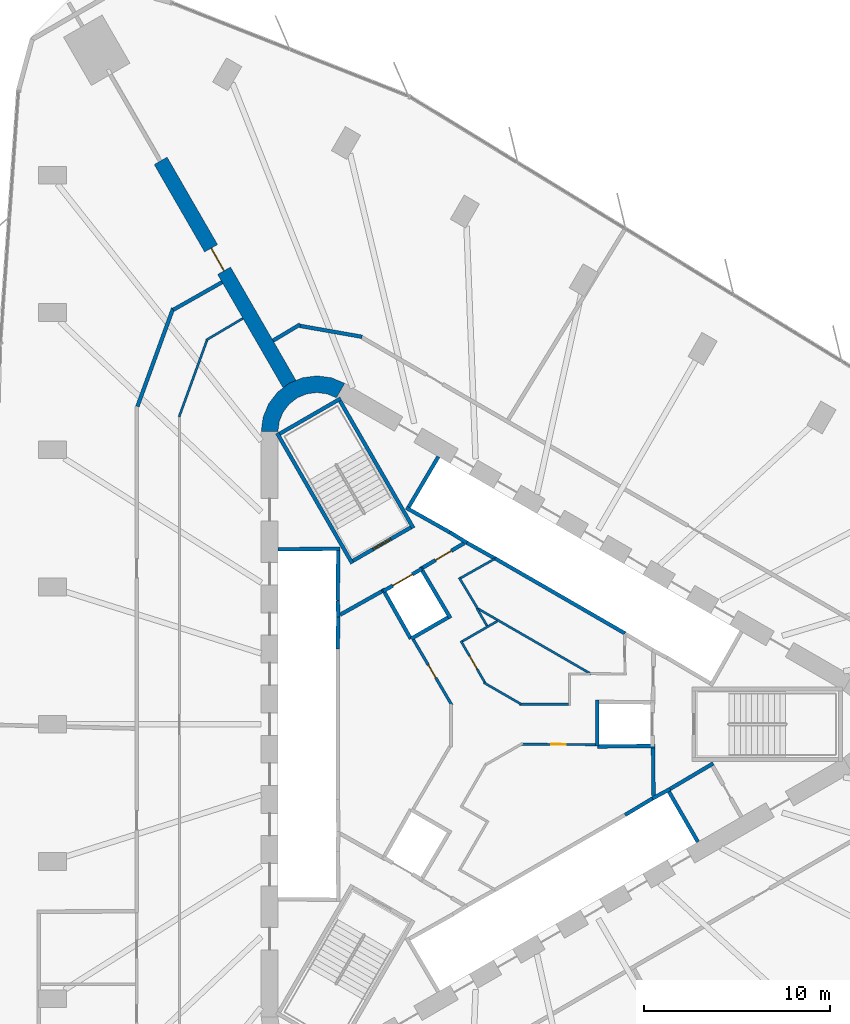
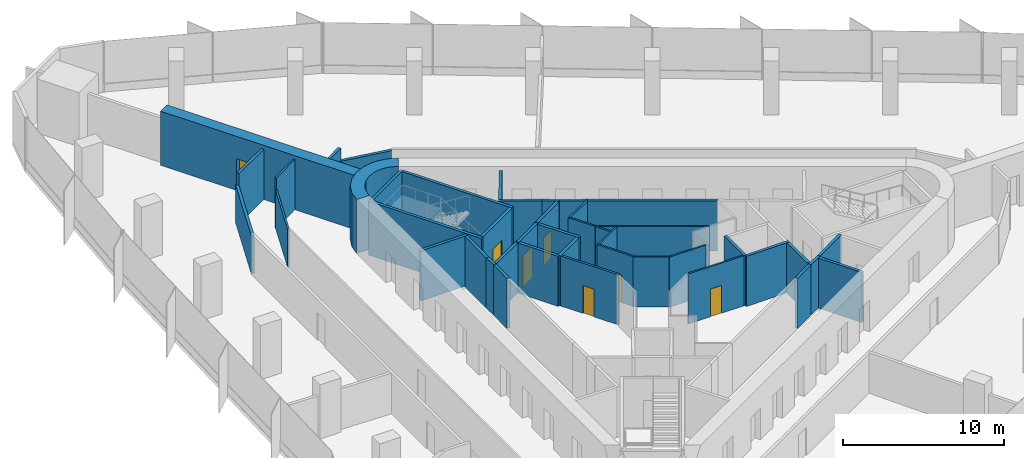
# One storey, part 10 of 13: 44 walls, 7 doors, 7 openings.
"""IFC4 building model written with IfcOpenShell, lengths in metres."""

from ifc_helpers import new_model, si_unit, direction, frame, frame_2d, origin, place, context, subcontext, project, spatial, polyline, rectangle, outline, extrude, material, layer, layer_set, type_object, element, fill, save


model = new_model("IFC4")

# Units and contexts
model_context = context("Model", 3, precision=1e-05, world=origin(), true_north=direction((0.0, 1.0)))
body_context = subcontext(model_context, "Body", "Model", "MODEL_VIEW")
ifc_project = project(units=[si_unit("LENGTHUNIT", "METRE"), si_unit("AREAUNIT", "SQUARE_METRE"), si_unit("VOLUMEUNIT", "CUBIC_METRE"), si_unit("PLANEANGLEUNIT", "RADIAN"), si_unit("MASSUNIT", "GRAM", prefix="KILO")], contexts=[model_context])

# Site, building, storey
site_placement = place(None, origin())
site = spatial("IfcSite", under=ifc_project, at=site_placement, CompositionType="ELEMENT")
building_placement = place(site_placement, origin())
building = spatial("IfcBuilding", under=site, at=building_placement, Name="Tanit Gate Tower", CompositionType="ELEMENT")
storey_placement = place(building_placement, frame((0.0, 0.0, 57.800048828125)))
storey = spatial("IfcBuildingStorey", under=building, at=storey_placement, Name="L10", CompositionType="ELEMENT", Elevation=57.800048828125)

# Wall, opening, door
ifc_material_1 = material(Name="Concrete C60/75", Category="concrete")
ifc_layer_1 = layer(ifc_material_1, 0.800048828125)
ifc_layer_set_1 = layer_set([ifc_layer_1], Name="BUTTRESS FIN 800 C60/75")
wall_type_1 = type_object("IfcWallType", Name="BUTTRESS FIN 800 C60/75", PredefinedType="SHEAR", material=ifc_layer_set_1)
wall_1_placement = place(storey_placement, frame((-10.574951171875, 18.31640625, 0.0), z_axis=(0.0, 0.0, 1.0), x_axis=(-0.500001010139, 0.866024820579, 0.0)))
wall_1 = element("IfcWall", 1, at=wall_1_placement, inside=storey, type_object=wall_type_1, Name="BUTTRESS FIN", PredefinedType="SHEAR", context=body_context, shape_type="SweptSolid", body=[
    extrude(rectangle(XDim=13.8837890625, YDim=0.800048828125, at=frame_2d((6.94189453125, 0.0))), origin(), (0.0, 0.0, 1.0), 4.099853515625),
])
opening_1_placement = place(wall_1_placement, frame((7.050048828125, 0.0, 0.0)))
opening_1 = element("IfcOpeningElement", 2, at=opening_1_placement, cuts=wall_1, Name="Opening P14-S01-F-NW-1", PredefinedType="OPENING", context=body_context, shape_type="SweptSolid", body=[
    extrude(rectangle(XDim=1.39990234375, YDim=2.39990234375, at=frame_2d((0.699951171875, 1.199951171875))), frame((0.0, 0.41015625, 0.0), z_axis=(0.0, -1.0, 0.0), x_axis=(1.0, 0.0, 0.0)), (0.0, 0.0, 1.0), 0.820068359375),
])
ifc_material_2 = material(Name="Timber door leaf", Category="wood")
door_type_1 = type_object("IfcDoorType", Name="INT-DOOR-FIN-PAIR-1400", OperationType="NOTDEFINED", PredefinedType="NOTDEFINED", material=ifc_material_2)
door_1_placement = place(opening_1_placement, origin())
door_1 = element("IfcDoor", 3, at=door_1_placement, inside=storey, type_object=door_type_1, Name="Door P14-S01-F-NW-1", OperationType="DOUBLE_DOOR_SINGLE_SWING", OverallHeight=2.39990234375, OverallWidth=1.39990234375, PredefinedType="NOTDEFINED", context=body_context, shape_type="SweptSolid", body=[
    extrude(rectangle(XDim=1.39990234375, YDim=2.39990234375, at=frame_2d((0.699951171875, 1.199951171875))), frame((0.0, 0.02490234375, 0.0), z_axis=(0.0, -1.0, 0.0), x_axis=(1.0, 0.0, 0.0)), (0.0, 0.0, 1.0), 0.050048828125),
])
fill(opening_1, door_1)

# Walls
ifc_material_3 = material(Name="Concrete C60/75", Category="concrete")
ifc_layer_2 = layer(ifc_material_3, 0.89990234375)
ifc_layer_set_2 = layer_set([ifc_layer_2], Name="CORE WALL 900 C60/75")
wall_type_2 = type_object("IfcWallType", Name="CORE WALL 900 C60/75", PredefinedType="SHEAR", material=ifc_layer_set_2)
wall_2_placement = place(storey_placement, origin())
element("IfcWall", 4, at=wall_2_placement, inside=storey, type_object=wall_type_2, Name="CORE WALL CORNER", PredefinedType="SHEAR", context=body_context, shape_type="SweptSolid", body=[
    extrude(outline(polyline([(-7.60009765625, 18.359619140625), (-8.323486328125, 18.659423828125), (-9.10009765625, 18.76171875), (-9.87646484375, 18.659423828125), (-10.60009765625, 18.359619140625), (-11.22119140625, 17.883056640625), (-11.697998046875, 17.26171875), (-11.997802734375, 16.5380859375), (-12.10009765625, 15.76171875), (-11.199951171875, 15.76171875), (-11.12841796875, 16.30517578125), (-10.918701171875, 16.811767578125), (-10.5849609375, 17.24658203125), (-10.14990234375, 17.580322265625), (-9.6435546875, 17.7900390625), (-9.10009765625, 17.86181640625), (-8.556396484375, 17.7900390625), (-8.050048828125, 17.580322265625), (-7.60009765625, 18.359619140625)])), origin(), (0.0, 0.0, 1.0), 4.099853515625),
])
ifc_material_4 = material(Name="Fire-rated gypsum board partition")
ifc_layer_3 = layer(ifc_material_4, 0.199951171875)
ifc_layer_set_3 = layer_set([ifc_layer_3], Name="INT-WALL-COMPARTMENT")
wall_type_3 = type_object("IfcWallType", Name="INT-WALL-COMPARTMENT", PredefinedType="PARTITIONING", material=ifc_layer_set_3)
wall_3_placement = place(storey_placement, frame((12.244873046875, -2.10888671875, 0.0), z_axis=(0.0, 0.0, 1.0), x_axis=(-0.860414880418, -0.509594185166, 0.0)))
element("IfcWall", 5, at=wall_3_placement, inside=storey, type_object=wall_type_3, Name="Wall Compartment W057", PredefinedType="PARTITIONING", context=body_context, shape_type="SweptSolid", body=[
    extrude(rectangle(XDim=2.7001953125, YDim=0.199951171875, at=frame_2d((1.35009765625, 0.0))), origin(), (0.0, 0.0, 1.0), 3.800048828125),
])
for number, where, z_axis, x_axis, name in (
    (6, (9.02880859375, -3.8505859375, 0.0), (0.0, 0.0, 1.0), (-0.010784614026, 0.999941844359, 0.0), "Wall Compartment W059"),
    (7, (-5.600341796875, 7.16015625, 0.0), (0.0, 0.0, 1.0), (-0.871340486379, -0.490678873396, 0.0), "Wall Compartment W061"),
):
    element("IfcWall", number, at=place(storey_placement, frame(where, z_axis=z_axis, x_axis=x_axis)), inside=storey, type_object=wall_type_3, Name=name, PredefinedType="PARTITIONING", context=body_context, shape_type="SweptSolid", body=[
        extrude(rectangle(XDim=2.580810546875, YDim=0.199951171875, at=frame_2d((1.29052734375, 0.0))), origin(), (0.0, 0.0, 1.0), 3.800048828125),
    ])

# Wall, opening, door
wall_4_placement = place(storey_placement, frame((-1.179443359375, 9.74462890625, 0.0), z_axis=(0.0, 0.0, 1.0), x_axis=(-0.860598681535, -0.509283721849, 0.0)))
wall_4 = element("IfcWall", 8, at=wall_4_placement, inside=storey, type_object=wall_type_3, Name="Wall Compartment W062", PredefinedType="PARTITIONING", context=body_context, shape_type="SweptSolid", body=[
    extrude(rectangle(XDim=2.5810546875, YDim=0.199951171875, at=frame_2d((1.29052734375, 0.0))), origin(), (0.0, 0.0, 1.0), 3.800048828125),
])
opening_2_placement = place(wall_4_placement, frame((0.79052734375, 0.0, 0.0)))
opening_2 = element("IfcOpeningElement", 9, at=opening_2_placement, cuts=wall_4, Name="Opening F10-S01-05", PredefinedType="OPENING", context=body_context, shape_type="SweptSolid", body=[
    extrude(rectangle(XDim=1.0, YDim=2.10009765625, at=frame_2d((0.5, 1.050048828125))), frame((0.0, 0.10986328125, 0.0), z_axis=(0.0, -1.0, 0.0), x_axis=(1.0, 0.0, 0.0)), (0.0, 0.0, 1.0), 0.219970703125),
])
ifc_material_5 = material(Name="Fire-rated steel door leaf", Category="steel")
door_type_2 = type_object("IfcDoorType", Name="INT-DOOR-FIRE-1000", OperationType="NOTDEFINED", PredefinedType="USERDEFINED", material=ifc_material_5)
door_2_placement = place(opening_2_placement, origin())
door_2 = element("IfcDoor", 10, at=door_2_placement, inside=storey, type_object=door_type_2, Name="Door F10-S01-05", ObjectType="FIRE DOOR", OperationType="SINGLE_SWING_LEFT", OverallHeight=2.10009765625, OverallWidth=1.0, PredefinedType="USERDEFINED", context=body_context, shape_type="SweptSolid", body=[
    extrude(rectangle(XDim=1.0, YDim=2.10009765625, at=frame_2d((0.5, 1.050048828125))), frame((0.0, 0.02490234375, 0.0), z_axis=(0.0, -1.0, 0.0), x_axis=(1.0, 0.0, 0.0)), (0.0, 0.0, 1.0), 0.050048828125),
])
fill(opening_2, door_2)

# Walls
wall_5_placement = place(storey_placement, frame((-16.842041015625, 22.401611328125, 0.0), z_axis=(0.0, 0.0, 1.0), x_axis=(-0.342049747763, -0.939681845124, 0.0)))
element("IfcWall", 11, at=wall_5_placement, inside=storey, type_object=wall_type_3, Name="Wall Compartment W095", PredefinedType="PARTITIONING", context=body_context, shape_type="SweptSolid", body=[
    extrude(rectangle(XDim=5.62451171875, YDim=0.199951171875, at=frame_2d((2.812255859375, 0.0))), origin(), (0.0, 0.0, 1.0), 2.8798828125),
])
wall_6_placement = place(storey_placement, frame((-14.206298828125, 23.805908203125, 0.0), z_axis=(0.0, 0.0, 1.0), x_axis=(-0.87028621909, -0.492546339811, 0.0)))
element("IfcWall", 12, at=wall_6_placement, inside=storey, type_object=wall_type_3, Name="Wall Compartment W096", PredefinedType="PARTITIONING", context=body_context, shape_type="SweptSolid", body=[
    extrude(rectangle(XDim=3.026123046875, YDim=0.199951171875, at=frame_2d((1.51318359375, 0.0))), origin(), (0.0, 0.0, 1.0), 3.800048828125),
])
wall_7_placement = place(storey_placement, frame((-10.00732421875, 21.528564453125, 0.0), z_axis=(0.0, 0.0, 1.0), x_axis=(-0.858379714818, -0.513014878136, 0.0)))
element("IfcWall", 13, at=wall_7_placement, inside=storey, type_object=wall_type_3, Name="Wall Compartment W101", PredefinedType="PARTITIONING", context=body_context, shape_type="SweptSolid", body=[
    extrude(rectangle(XDim=1.697998046875, YDim=0.199951171875, at=frame_2d((0.84912109375, 0.0))), origin(), (0.0, 0.0, 1.0), 3.800048828125),
])
wall_8_placement = place(storey_placement, frame((-6.667236328125, 20.863037109375, 0.0), z_axis=(0.0, 0.0, 1.0), x_axis=(-0.984817805596, 0.173591156977, 0.0)))
element("IfcWall", 14, at=wall_8_placement, inside=storey, type_object=wall_type_3, Name="Wall Compartment W102", PredefinedType="PARTITIONING", context=body_context, shape_type="SweptSolid", body=[
    extrude(rectangle(XDim=3.44287109375, YDim=0.199951171875, at=frame_2d((1.721435546875, 0.0))), origin(), (0.0, 0.0, 1.0), 2.8798828125),
])

# Wall, opening, door
ifc_material_6 = material(Name="Gypsum board partition")
ifc_layer_4 = layer(ifc_material_6, 0.1201171875)
ifc_layer_set_4 = layer_set([ifc_layer_4], Name="INT-WALL-PARTITION")
wall_type_4 = type_object("IfcWallType", Name="INT-WALL-PARTITION", PredefinedType="PARTITIONING", material=ifc_layer_set_4)
wall_9_placement = place(storey_placement, frame((5.89990234375, -1.103759765625, 0.0), z_axis=(0.0, 0.0, 1.0), x_axis=(-0.999974192295, 0.007184340221, 0.0)))
wall_9 = element("IfcWall", 15, at=wall_9_placement, inside=storey, type_object=wall_type_4, Name="Wall Partition W073", PredefinedType="PARTITIONING", context=body_context, shape_type="SweptSolid", body=[
    extrude(rectangle(XDim=3.975830078125, YDim=0.1201171875, at=frame_2d((1.98779296875, 0.0))), origin(), (0.0, 0.0, 1.0), 3.800048828125),
])
opening_3_placement = place(wall_9_placement, frame((1.587890625, 0.0, 0.0)))
opening_3 = element("IfcOpeningElement", 16, at=opening_3_placement, cuts=wall_9, Name="Opening R08-S01-11", PredefinedType="OPENING", context=body_context, shape_type="SweptSolid", body=[
    extrude(rectangle(XDim=0.800048828125, YDim=2.10009765625, at=frame_2d((0.39990234375, 1.050048828125))), frame((0.0, 0.070068359375, 0.0), z_axis=(0.0, -1.0, 0.0), x_axis=(1.0, 0.0, 0.0)), (0.0, 0.0, 1.0), 0.14013671875),
])
ifc_material_7 = material(Name="Timber door leaf", Category="wood")
door_type_3 = type_object("IfcDoorType", Name="INT-DOOR-RISER-800", OperationType="NOTDEFINED", PredefinedType="USERDEFINED", material=ifc_material_7)
door_3_placement = place(opening_3_placement, origin())
door_3 = element("IfcDoor", 17, at=door_3_placement, inside=storey, type_object=door_type_3, Name="Door R08-S01-11", ObjectType="FIRE DOOR", OperationType="SINGLE_SWING_LEFT", OverallHeight=2.10009765625, OverallWidth=0.800048828125, PredefinedType="USERDEFINED", context=body_context, shape_type="SweptSolid", body=[
    extrude(rectangle(XDim=0.800048828125, YDim=2.10009765625, at=frame_2d((0.39990234375, 1.050048828125))), frame((0.0, 0.02490234375, 0.0), z_axis=(0.0, -1.0, 0.0), x_axis=(1.0, 0.0, 0.0)), (0.0, 0.0, 1.0), 0.050048828125),
])
fill(opening_3, door_3)

# Walls
wall_10_placement = place(storey_placement, frame((-0.497802734375, 6.262451171875, 0.0), z_axis=(0.0, 0.0, 1.0), x_axis=(0.866016105569, -0.500016104636, 0.0)))
element("IfcWall", 18, at=wall_10_placement, inside=storey, type_object=wall_type_4, Name="Wall Partition W074", PredefinedType="PARTITIONING", context=body_context, shape_type="SweptSolid", body=[
    extrude(rectangle(XDim=7.124755859375, YDim=0.1201171875, at=frame_2d((3.5625, 0.0))), origin(), (0.0, 0.0, 1.0), 3.800048828125),
])
wall_11_placement = place(storey_placement, frame((-1.442626953125, 7.896728515625, 0.0), z_axis=(0.0, 0.0, 1.0), x_axis=(0.51333134022, -0.8581905005, 0.0)))
element("IfcWall", 19, at=wall_11_placement, inside=storey, type_object=wall_type_4, Name="Wall Partition W075", PredefinedType="PARTITIONING", context=body_context, shape_type="SweptSolid", body=[
    extrude(rectangle(XDim=1.943359375, YDim=0.1201171875, at=frame_2d((0.9716796875, 0.0))), origin(), (0.0, 0.0, 1.0), 3.800048828125),
])
wall_12_placement = place(storey_placement, frame((0.475341796875, 8.9052734375, 0.0), z_axis=(0.0, 0.0, 1.0), x_axis=(-0.871832572129, -0.489804007921, 0.0)))
element("IfcWall", 20, at=wall_12_placement, inside=storey, type_object=wall_type_4, Name="Wall Partition W076", PredefinedType="PARTITIONING", context=body_context, shape_type="SweptSolid", body=[
    extrude(rectangle(XDim=2.1044921875, YDim=0.1201171875, at=frame_2d((1.05224609375, 0.0))), origin(), (0.0, 0.0, 1.0), 3.800048828125),
])
wall_13_placement = place(storey_placement, frame((1.80126953125, 1.074951171875, 0.0), z_axis=(0.0, 0.0, 1.0), x_axis=(1.0, 0.0, 0.0)))
element("IfcWall", 21, at=wall_13_placement, inside=storey, type_object=wall_type_4, Name="Wall Partition W081", PredefinedType="PARTITIONING", context=body_context, shape_type="SweptSolid", body=[
    extrude(rectangle(XDim=2.638671875, YDim=0.1201171875, at=frame_2d((1.3193359375, 0.0))), origin(), (0.0, 0.0, 1.0), 3.800048828125),
])
wall_14_placement = place(storey_placement, frame((-0.111572265625, 2.239501953125, 0.0), z_axis=(0.0, 0.0, 1.0), x_axis=(0.865997282035, -0.500048705136, 0.0)))
element("IfcWall", 22, at=wall_14_placement, inside=storey, type_object=wall_type_4, Name="Wall Partition W082", PredefinedType="PARTITIONING", context=body_context, shape_type="SweptSolid", body=[
    extrude(rectangle(XDim=2.310302734375, YDim=0.1201171875, at=frame_2d((1.1552734375, 0.0))), origin(), (0.0, 0.0, 1.0), 3.800048828125),
])

# Wall, opening, door
wall_15_placement = place(storey_placement, frame((-1.34912109375, 4.486572265625, 0.0), z_axis=(0.0, 0.0, 1.0), x_axis=(0.500013727357, -0.866017478146, 0.0)))
wall_15 = element("IfcWall", 23, at=wall_15_placement, inside=storey, type_object=wall_type_4, Name="Wall Partition W083", PredefinedType="PARTITIONING", context=body_context, shape_type="SweptSolid", body=[
    extrude(rectangle(XDim=2.63623046875, YDim=0.1201171875, at=frame_2d((1.318115234375, 0.0))), origin(), (0.0, 0.0, 1.0), 3.800048828125),
])
opening_4_placement = place(wall_15_placement, frame((0.947998046875, 0.0, 0.0)))
opening_4 = element("IfcOpeningElement", 24, at=opening_4_placement, cuts=wall_15, Name="Opening R08-S01-13", PredefinedType="OPENING", context=body_context, shape_type="SweptSolid", body=[
    extrude(rectangle(XDim=0.800048828125, YDim=2.10009765625, at=frame_2d((0.39990234375, 1.050048828125))), frame((0.0, 0.070068359375, 0.0), z_axis=(0.0, -1.0, 0.0), x_axis=(1.0, 0.0, 0.0)), (0.0, 0.0, 1.0), 0.14013671875),
])
door_4_placement = place(opening_4_placement, origin())
door_4 = element("IfcDoor", 25, at=door_4_placement, inside=storey, type_object=door_type_3, Name="Door R08-S01-13", ObjectType="FIRE DOOR", OperationType="SINGLE_SWING_RIGHT", OverallHeight=2.10009765625, OverallWidth=0.800048828125, PredefinedType="USERDEFINED", context=body_context, shape_type="SweptSolid", body=[
    extrude(rectangle(XDim=0.800048828125, YDim=2.10009765625, at=frame_2d((0.39990234375, 1.050048828125))), frame((0.0, 0.02490234375, 0.0), z_axis=(0.0, -1.0, 0.0), x_axis=(1.0, 0.0, 0.0)), (0.0, 0.0, 1.0), 0.050048828125),
])
fill(opening_4, door_4)

# Walls
wall_16_placement = place(storey_placement, frame((0.614501953125, 5.551025390625, 0.0), z_axis=(0.0, 0.0, 1.0), x_axis=(-0.866007815276, -0.500030462953, 0.0)))
element("IfcWall", 26, at=wall_16_placement, inside=storey, type_object=wall_type_4, Name="Wall Partition W084", PredefinedType="PARTITIONING", context=body_context, shape_type="SweptSolid", body=[
    extrude(rectangle(XDim=2.172607421875, YDim=0.1201171875, at=frame_2d((1.08642578125, 0.0))), origin(), (0.0, 0.0, 1.0), 3.800048828125),
])
wall_17_placement = place(storey_placement, frame((-0.469970703125, 6.214111328125, 0.0), z_axis=(0.0, 0.0, 1.0), x_axis=(0.500015802937, -0.866016279763, 0.0)))
element("IfcWall", 27, at=wall_17_placement, inside=storey, type_object=wall_type_4, Name="Wall Partition W085", PredefinedType="PARTITIONING", context=body_context, shape_type="SweptSolid", body=[
    extrude(rectangle(XDim=1.056640625, YDim=0.1201171875, at=frame_2d((0.5283203125, 0.0))), origin(), (0.0, 0.0, 1.0), 3.800048828125),
])
wall_18_placement = place(storey_placement, frame((-13.082275390625, 21.859130859375, 0.0), z_axis=(0.0, 0.0, 1.0), x_axis=(-0.860286384661, -0.509811079095, 0.0)))
element("IfcWall", 28, at=wall_18_placement, inside=storey, type_object=wall_type_4, Name="Wall Partition W086", PredefinedType="PARTITIONING", context=body_context, shape_type="SweptSolid", body=[
    extrude(rectangle(XDim=2.310546875, YDim=0.1201171875, at=frame_2d((1.1552734375, 0.0))), origin(), (0.0, 0.0, 1.0), 3.800048828125),
])
wall_19_placement = place(storey_placement, frame((-15.0166015625, 20.6923828125, 0.0), z_axis=(0.0, 0.0, 1.0), x_axis=(-0.342028368186, -0.939689627141, 0.0)))
element("IfcWall", 29, at=wall_19_placement, inside=storey, type_object=wall_type_4, Name="Wall Partition W087", PredefinedType="PARTITIONING", context=body_context, shape_type="SweptSolid", body=[
    extrude(rectangle(XDim=4.39697265625, YDim=0.1201171875, at=frame_2d((2.198486328125, 0.0))), origin(), (0.0, 0.0, 1.0), 2.8798828125),
])

# Wall, opening, door
ifc_material_8 = material(Name="Fire-rated gypsum board partition")
ifc_layer_5 = layer(ifc_material_8, 0.14990234375)
ifc_layer_set_5 = layer_set([ifc_layer_5], Name="INT-WALL-RISER")
wall_type_5 = type_object("IfcWallType", Name="INT-WALL-RISER", PredefinedType="PLUMBINGWALL", material=ifc_layer_set_5)
wall_20_placement = place(storey_placement, frame((-1.81884765625, 1.002197265625, 0.0), z_axis=(0.0, 0.0, 1.0), x_axis=(-0.506251313942, 0.8623859966, 0.0)))
wall_20 = element("IfcWall", 30, at=wall_20_placement, inside=storey, type_object=wall_type_5, Name="Wall Riser W065", PredefinedType="PLUMBINGWALL", context=body_context, shape_type="SweptSolid", body=[
    extrude(rectangle(XDim=4.122802734375, YDim=0.14990234375, at=frame_2d((2.0615234375, 0.0))), origin(), (0.0, 0.0, 1.0), 3.800048828125),
])
opening_5_placement = place(wall_20_placement, frame((1.72509765625, 0.0, 0.0)))
opening_5 = element("IfcOpeningElement", 31, at=opening_5_placement, cuts=wall_20, Name="Opening R08-S01-10", PredefinedType="OPENING", context=body_context, shape_type="SweptSolid", body=[
    extrude(rectangle(XDim=0.800048828125, YDim=2.10009765625, at=frame_2d((0.39990234375, 1.050048828125))), frame((0.0, 0.0849609375, 0.0), z_axis=(0.0, -1.0, 0.0), x_axis=(1.0, 0.0, 0.0)), (0.0, 0.0, 1.0), 0.169921875),
])
door_5_placement = place(opening_5_placement, origin())
door_5 = element("IfcDoor", 32, at=door_5_placement, inside=storey, type_object=door_type_3, Name="Door R08-S01-10", ObjectType="FIRE DOOR", OperationType="SINGLE_SWING_LEFT", OverallHeight=2.10009765625, OverallWidth=0.800048828125, PredefinedType="USERDEFINED", context=body_context, shape_type="SweptSolid", body=[
    extrude(rectangle(XDim=0.800048828125, YDim=2.10009765625, at=frame_2d((0.39990234375, 1.050048828125))), frame((0.0, 0.02490234375, 0.0), z_axis=(0.0, -1.0, 0.0), x_axis=(1.0, 0.0, 0.0)), (0.0, 0.0, 1.0), 0.050048828125),
])
fill(opening_5, door_5)

# Walls
ifc_material_9 = material(Name="Gypsum shaft wall system")
ifc_layer_6 = layer(ifc_material_9, 0.199951171875)
ifc_layer_set_6 = layer_set([ifc_layer_6], Name="INT-WALL-SHAFT")
wall_type_6 = type_object("IfcWallType", Name="INT-WALL-SHAFT", PredefinedType="PLUMBINGWALL", material=ifc_layer_set_6)
wall_21_placement = place(storey_placement, frame((-11.199951171875, 9.419921875, 0.0), z_axis=(0.0, 0.0, 1.0), x_axis=(0.999957167047, 0.009255488683, 0.0)))
element("IfcWall", 33, at=wall_21_placement, inside=storey, type_object=wall_type_6, Name="Wall Shaft W001", PredefinedType="PLUMBINGWALL", context=body_context, shape_type="SweptSolid", body=[
    extrude(rectangle(XDim=3.35009765625, YDim=0.199951171875, at=frame_2d((1.675048828125, 0.0))), origin(), (0.0, 0.0, 1.0), 3.800048828125),
])
wall_22_placement = place(storey_placement, frame((-7.951171875, 9.35009765625, 0.0), z_axis=(0.0, 0.0, 1.0), x_axis=(-0.011120469654, -0.999938165666, 0.0)))
element("IfcWall", 34, at=wall_22_placement, inside=storey, type_object=wall_type_6, Name="Wall Shaft W002", PredefinedType="PLUMBINGWALL", context=body_context, shape_type="SweptSolid", body=[
    extrude(rectangle(XDim=2.700439453125, YDim=0.199951171875, at=frame_2d((1.35009765625, 0.0))), origin(), (0.0, 0.0, 1.0), 3.800048828125),
])
wall_23_placement = place(storey_placement, frame((7.497314453125, 4.885986328125, 0.0), z_axis=(0.0, 0.0, 1.0), x_axis=(-0.866030989016, 0.499990325971, 0.0)))
element("IfcWall", 35, at=wall_23_placement, inside=storey, type_object=wall_type_6, Name="Wall Shaft W003", PredefinedType="PLUMBINGWALL", context=body_context, shape_type="SweptSolid", body=[
    extrude(rectangle(XDim=8.099853515625, YDim=0.199951171875, at=frame_2d((4.0498046875, 0.0))), origin(), (0.0, 0.0, 1.0), 3.800048828125),
])
wall_24_placement = place(storey_placement, frame((-7.97705078125, 6.650146484375, 0.0), z_axis=(0.0, 0.0, 1.0), x_axis=(0.030861509705, -0.999523670164, 0.0)))
element("IfcWall", 36, at=wall_24_placement, inside=storey, type_object=wall_type_6, Name="Wall Shaft W004", PredefinedType="PLUMBINGWALL", context=body_context, shape_type="SweptSolid", body=[
    extrude(rectangle(XDim=0.878173828125, YDim=0.199951171875, at=frame_2d((0.43896484375, 0.0))), origin(), (0.0, 0.0, 1.0), 3.800048828125),
])
wall_25_placement = place(storey_placement, frame((-7.948974609375, 5.894287109375, 0.0), z_axis=(0.0, 0.0, 1.0), x_axis=(-0.016809909365, -0.999858703491, 0.0)))
element("IfcWall", 37, at=wall_25_placement, inside=storey, type_object=wall_type_6, Name="Wall Shaft W005", PredefinedType="PLUMBINGWALL", context=body_context, shape_type="SweptSolid", body=[
    extrude(rectangle(XDim=1.844482421875, YDim=0.199951171875, at=frame_2d((0.92236328125, 0.0))), origin(), (0.0, 0.0, 1.0), 3.800048828125),
])
wall_26_placement = place(storey_placement, frame((-1.940673828125, 10.338623046875, 0.0), z_axis=(0.0, 0.0, 1.0), x_axis=(0.850216889117, -0.526432561171, 0.0)))
element("IfcWall", 38, at=wall_26_placement, inside=storey, type_object=wall_type_6, Name="Wall Shaft W019", PredefinedType="PLUMBINGWALL", context=body_context, shape_type="SweptSolid", body=[
    extrude(rectangle(XDim=1.078369140625, YDim=0.199951171875, at=frame_2d((0.5390625, 0.0))), origin(), (0.0, 0.0, 1.0), 3.800048828125),
])
wall_27_placement = place(storey_placement, frame((0.478271484375, 8.928466796875, 0.0), z_axis=(0.0, 0.0, 1.0), x_axis=(-0.871988740738, 0.489525929882, 0.0)))
element("IfcWall", 39, at=wall_27_placement, inside=storey, type_object=wall_type_6, Name="Wall Shaft W020", PredefinedType="PLUMBINGWALL", context=body_context, shape_type="SweptSolid", body=[
    extrude(rectangle(XDim=1.8447265625, YDim=0.199951171875, at=frame_2d((0.92236328125, 0.0))), origin(), (0.0, 0.0, 1.0), 3.800048828125),
])
wall_28_placement = place(storey_placement, frame((-4.296142578125, 11.658935546875, 0.0), z_axis=(0.0, 0.0, 1.0), x_axis=(0.871534483978, -0.490334215854, 0.0)))
element("IfcWall", 40, at=wall_28_placement, inside=storey, type_object=wall_type_6, Name="Wall Shaft W021", PredefinedType="PLUMBINGWALL", context=body_context, shape_type="SweptSolid", body=[
    extrude(rectangle(XDim=2.7001953125, YDim=0.199951171875, at=frame_2d((1.35009765625, 0.0))), origin(), (0.0, 0.0, 1.0), 3.800048828125),
])
wall_29_placement = place(storey_placement, frame((-4.158203125, 11.696044921875, 0.0), z_axis=(0.0, 0.0, 1.0), x_axis=(0.508018930956, 0.861345903683, 0.0)))
element("IfcWall", 41, at=wall_29_placement, inside=storey, type_object=wall_type_6, Name="Wall Shaft W022", PredefinedType="PLUMBINGWALL", context=body_context, shape_type="SweptSolid", body=[
    extrude(rectangle(XDim=3.150146484375, YDim=0.199951171875, at=frame_2d((1.5751953125, 0.0))), origin(), (0.0, 0.0, 1.0), 3.800048828125),
])
wall_30_placement = place(storey_placement, frame((9.794677734375, -3.52490234375, 0.0), z_axis=(0.0, 0.0, 1.0), x_axis=(0.499984717929, -0.866034226713, 0.0)))
element("IfcWall", 42, at=wall_30_placement, inside=storey, type_object=wall_type_6, Name="Wall Shaft W024", PredefinedType="PLUMBINGWALL", context=body_context, shape_type="SweptSolid", body=[
    extrude(rectangle(XDim=3.25, YDim=0.199951171875, at=frame_2d((1.625, 0.0))), origin(), (0.0, 0.0, 1.0), 3.800048828125),
])
wall_31_placement = place(storey_placement, frame((8.97412109375, -3.998779296875, 0.0), z_axis=(0.0, 0.0, 1.0), x_axis=(0.880907015104, 0.473289373154, 0.0)))
element("IfcWall", 43, at=wall_31_placement, inside=storey, type_object=wall_type_6, Name="Wall Shaft W025", PredefinedType="PLUMBINGWALL", context=body_context, shape_type="SweptSolid", body=[
    extrude(rectangle(XDim=1.078125, YDim=0.199951171875, at=frame_2d((0.5390625, 0.0))), origin(), (0.0, 0.0, 1.0), 3.800048828125),
])
wall_32_placement = place(storey_placement, frame((7.497314453125, -4.885986328125, 0.0), z_axis=(0.0, 0.0, 1.0), x_axis=(0.857516281273, 0.51445682749, 0.0)))
element("IfcWall", 44, at=wall_32_placement, inside=storey, type_object=wall_type_6, Name="Wall Shaft W026", PredefinedType="PLUMBINGWALL", context=body_context, shape_type="SweptSolid", body=[
    extrude(rectangle(XDim=1.8447265625, YDim=0.199951171875, at=frame_2d((0.92236328125, 0.0))), origin(), (0.0, 0.0, 1.0), 3.800048828125),
])
wall_33_placement = place(storey_placement, frame((9.10009765625, -1.1689453125, 0.0), z_axis=(0.0, 0.0, 1.0), x_axis=(-0.999949988, -0.010001074852, 0.0)))
element("IfcWall", 45, at=wall_33_placement, inside=storey, type_object=wall_type_6, Name="Wall Shaft W038", PredefinedType="PLUMBINGWALL", context=body_context, shape_type="SweptSolid", body=[
    extrude(rectangle(XDim=3.100341796875, YDim=0.199951171875, at=frame_2d((1.55029296875, 0.0))), origin(), (0.0, 0.0, 1.0), 3.800048828125),
])
wall_34_placement = place(storey_placement, frame((6.0, -1.16455078125, 0.0), z_axis=(0.0, 0.0, 1.0), x_axis=(0.0, 1.0, 0.0)))
element("IfcWall", 46, at=wall_34_placement, inside=storey, type_object=wall_type_6, Name="Wall Shaft W039", PredefinedType="PLUMBINGWALL", context=body_context, shape_type="SweptSolid", body=[
    extrude(rectangle(XDim=2.464599609375, YDim=0.199951171875, at=frame_2d((1.232421875, 0.0))), origin(), (0.0, 0.0, 1.0), 3.800048828125),
])

# Wall, opening, door
wall_35_placement = place(storey_placement, frame((-5.524169921875, 7.168212890625, 0.0), z_axis=(0.0, 0.0, 1.0), x_axis=(0.866024647952, 0.500001309137, 0.0)))
wall_35 = element("IfcWall", 47, at=wall_35_placement, inside=storey, type_object=wall_type_6, Name="Wall Shaft W045", PredefinedType="PLUMBINGWALL", context=body_context, shape_type="SweptSolid", body=[
    extrude(rectangle(XDim=2.39990234375, YDim=0.199951171875, at=frame_2d((1.199951171875, 0.0))), origin(), (0.0, 0.0, 1.0), 3.800048828125),
])
opening_6_placement = place(wall_35_placement, frame((0.60009765625, 0.0, 0.0)))
opening_6 = element("IfcOpeningElement", 48, at=opening_6_placement, cuts=wall_35, Name="Opening LDFL2-L10", PredefinedType="OPENING", context=body_context, shape_type="SweptSolid", body=[
    extrude(rectangle(XDim=1.199951171875, YDim=2.39990234375, at=frame_2d((0.60009765625, 1.199951171875))), frame((0.0, 0.10986328125, 0.0), z_axis=(0.0, -1.0, 0.0), x_axis=(1.0, 0.0, 0.0)), (0.0, 0.0, 1.0), 0.219970703125),
])
ifc_material_10 = material(Name="Stainless steel sliding door leaf", Category="steel")
door_type_4 = type_object("IfcDoorType", Name="INT-DOOR-LANDING-1200", OperationType="NOTDEFINED", PredefinedType="USERDEFINED", material=ifc_material_10)
door_6_placement = place(opening_6_placement, origin())
door_6 = element("IfcDoor", 49, at=door_6_placement, inside=storey, type_object=door_type_4, Name="Door LDFL2-L10", ObjectType="LANDING DOOR", OperationType="SLIDING_TO_LEFT", OverallHeight=2.39990234375, OverallWidth=1.199951171875, PredefinedType="USERDEFINED", context=body_context, shape_type="SweptSolid", body=[
    extrude(rectangle(XDim=1.199951171875, YDim=2.39990234375, at=frame_2d((0.60009765625, 1.199951171875))), frame((0.0, 0.02490234375, 0.0), z_axis=(0.0, -1.0, 0.0), x_axis=(1.0, 0.0, 0.0)), (0.0, 0.0, 1.0), 0.050048828125),
])
fill(opening_6, door_6)

# Walls
wall_36_placement = place(storey_placement, frame((-4.039306640625, 4.59619140625, 0.0), z_axis=(0.0, 0.0, 1.0), x_axis=(-0.491322718731, 0.870977603649, 0.0)))
element("IfcWall", 50, at=wall_36_placement, inside=storey, type_object=wall_type_6, Name="Wall Shaft W046", PredefinedType="PLUMBINGWALL", context=body_context, shape_type="SweptSolid", body=[
    extrude(rectangle(XDim=3.10009765625, YDim=0.199951171875, at=frame_2d((1.550048828125, 0.0))), origin(), (0.0, 0.0, 1.0), 3.800048828125),
])
wall_37_placement = place(storey_placement, frame((-3.53759765625, 8.46533203125, 0.0), z_axis=(0.0, 0.0, 1.0), x_axis=(0.508616218331, -0.860993346345, 0.0)))
element("IfcWall", 51, at=wall_37_placement, inside=storey, type_object=wall_type_6, Name="Wall Shaft W047", PredefinedType="PLUMBINGWALL", context=body_context, shape_type="SweptSolid", body=[
    extrude(rectangle(XDim=3.2001953125, YDim=0.199951171875, at=frame_2d((1.60009765625, 0.0))), origin(), (0.0, 0.0, 1.0), 3.800048828125),
])
wall_38_placement = place(storey_placement, frame((-2.04736328125, 5.74609375, 0.0), z_axis=(0.0, 0.0, 1.0), x_axis=(-0.866046471269, -0.499963508271, 0.0)))
element("IfcWall", 52, at=wall_38_placement, inside=storey, type_object=wall_type_6, Name="Wall Shaft W048", PredefinedType="PLUMBINGWALL", context=body_context, shape_type="SweptSolid", body=[
    extrude(rectangle(XDim=2.279541015625, YDim=0.199951171875, at=frame_2d((1.1396484375, 0.0))), origin(), (0.0, 0.0, 1.0), 3.800048828125),
])
ifc_material_11 = material(Name="Concrete C40/50", Category="concrete")
ifc_layer_7 = layer(ifc_material_11, 0.199951171875)
ifc_layer_set_7 = layer_set([ifc_layer_7], Name="INT-WALL-STAIR")
wall_type_7 = type_object("IfcWallType", Name="INT-WALL-STAIR", PredefinedType="SHEAR", material=ifc_layer_set_7)
wall_39_placement = place(storey_placement, frame((-11.245361328125, 15.677734375, -0.300048828125), z_axis=(0.0, 0.0, 1.0), x_axis=(0.499977274689, -0.866038523851, 0.0)))
element("IfcWall", 53, at=wall_39_placement, inside=storey, type_object=wall_type_7, Name="Wall Stair W041", PredefinedType="SHEAR", context=body_context, shape_type="SweptSolid", body=[
    extrude(rectangle(XDim=8.10009765625, YDim=0.199951171875, at=frame_2d((4.050048828125, 0.0))), origin(), (0.0, 0.0, 1.0), 4.10009765625),
])
wall_40_placement = place(storey_placement, frame((-7.81787109375, 17.541015625, -0.300048828125), z_axis=(0.0, 0.0, 1.0), x_axis=(-0.866044365799, -0.499967155389, 0.0)))
element("IfcWall", 54, at=wall_40_placement, inside=storey, type_object=wall_type_7, Name="Wall Stair W042", PredefinedType="SHEAR", context=body_context, shape_type="SweptSolid", body=[
    extrude(rectangle(XDim=3.800048828125, YDim=0.199951171875, at=frame_2d((1.89990234375, 0.0))), origin(), (0.0, 0.0, 1.0), 4.10009765625),
])
wall_41_placement = place(storey_placement, frame((-7.8544921875, 17.404541015625, -0.300048828125), z_axis=(0.0, 0.0, 1.0), x_axis=(0.499997992926, -0.866026562566, 0.0)))
element("IfcWall", 55, at=wall_41_placement, inside=storey, type_object=wall_type_7, Name="Wall Stair W043", PredefinedType="SHEAR", context=body_context, shape_type="SweptSolid", body=[
    extrude(rectangle(XDim=7.89990234375, YDim=0.199951171875, at=frame_2d((3.949951171875, 0.0))), origin(), (0.0, 0.0, 1.0), 4.10009765625),
])

# Wall, opening, door
wall_42_placement = place(storey_placement, frame((-7.158935546875, 8.799560546875, -0.300048828125), z_axis=(0.0, 0.0, 1.0), x_axis=(0.866047807691, 0.499961193289, 0.0)))
wall_42 = element("IfcWall", 56, at=wall_42_placement, inside=storey, type_object=wall_type_7, Name="Wall Stair W044", PredefinedType="SHEAR", context=body_context, shape_type="SweptSolid", body=[
    extrude(rectangle(XDim=3.599853515625, YDim=0.199951171875, at=frame_2d((1.7998046875, 0.0))), origin(), (0.0, 0.0, 1.0), 4.10009765625),
])
opening_7_placement = place(wall_42_placement, frame((1.25, 0.0, 0.300048828125)))
opening_7 = element("IfcOpeningElement", 57, at=opening_7_placement, cuts=wall_42, Name="Opening S11-S01-04", PredefinedType="OPENING", context=body_context, shape_type="SweptSolid", body=[
    extrude(rectangle(XDim=1.10009765625, YDim=2.10009765625, at=frame_2d((0.550048828125, 1.050048828125))), frame((0.0, 0.10986328125, 0.0), z_axis=(0.0, -1.0, 0.0), x_axis=(1.0, 0.0, 0.0)), (0.0, 0.0, 1.0), 0.219970703125),
])
ifc_material_12 = material(Name="Timber door leaf", Category="wood")
door_type_5 = type_object("IfcDoorType", Name="INT-DOOR-STAIR-1100", OperationType="NOTDEFINED", PredefinedType="USERDEFINED", material=ifc_material_12)
door_7_placement = place(opening_7_placement, origin())
door_7 = element("IfcDoor", 58, at=door_7_placement, inside=storey, type_object=door_type_5, Name="Door S11-S01-04", ObjectType="FIRE DOOR", OperationType="SINGLE_SWING_RIGHT", OverallHeight=2.10009765625, OverallWidth=1.10009765625, PredefinedType="USERDEFINED", context=body_context, shape_type="SweptSolid", body=[
    extrude(rectangle(XDim=1.10009765625, YDim=2.10009765625, at=frame_2d((0.550048828125, 1.050048828125))), frame((0.0, 0.02490234375, 0.0), z_axis=(0.0, -1.0, 0.0), x_axis=(1.0, 0.0, 0.0)), (0.0, 0.0, 1.0), 0.050048828125),
])
fill(opening_7, door_7)

save(model, "model.ifc")
